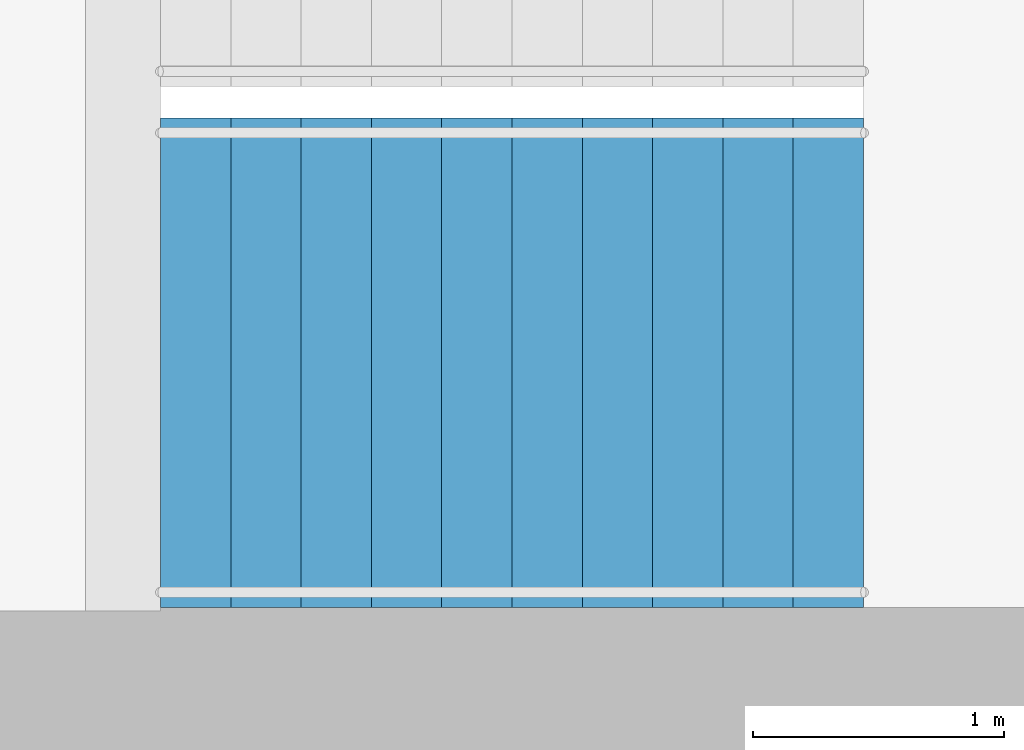
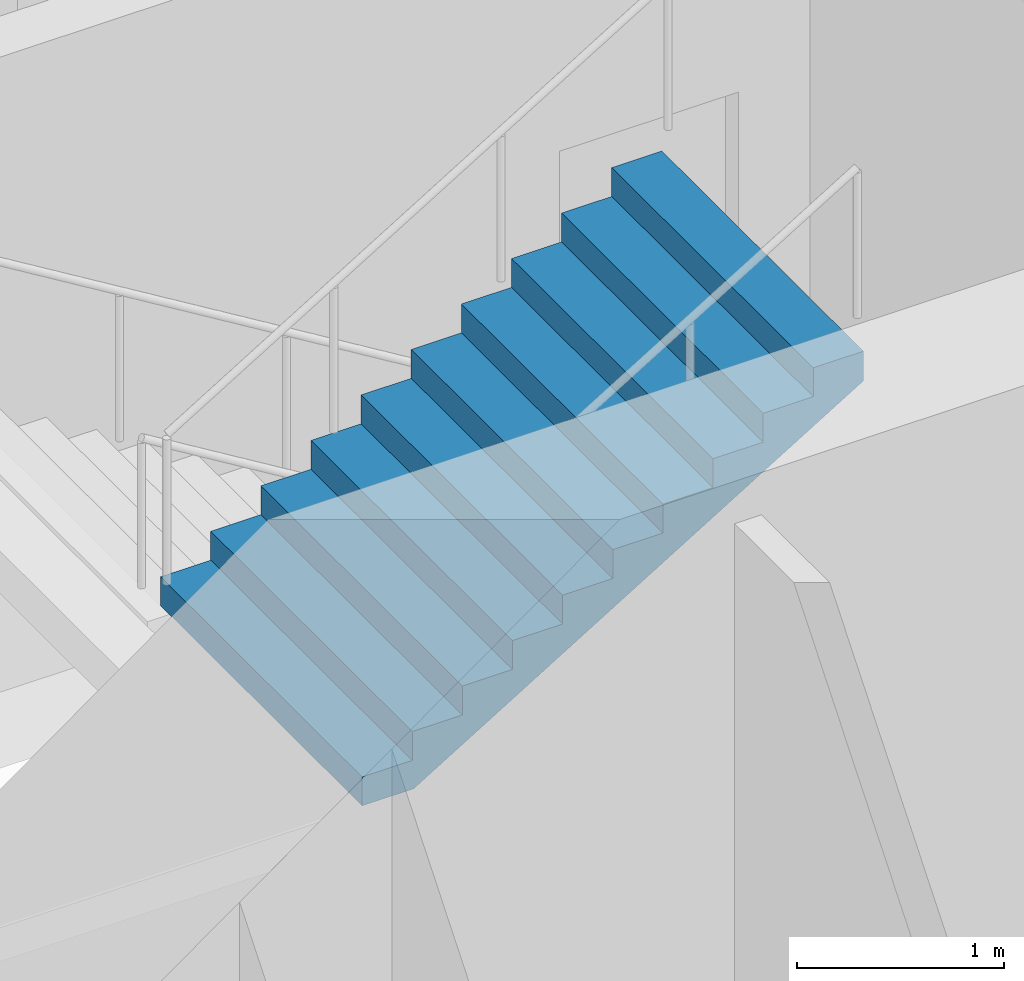
# One storey, part 26 of 29: 1 stair flight, 1 element without a shape of its own.
"""IFC4 building model written with IfcOpenShell, lengths in metres."""

import ifcopenshell
import ifcopenshell.guid

model = None  # the IFC model being written
_history = None  # IfcOwnerHistory: only IFC2X3 demands one
_inside = {}  # id of a spatial element -> (the spatial element, [elements in it])
_under = {}  # id of a project, library or spatial element -> (it, [spatial elements below it])
_declared = {}  # id of a project -> (the project, [libraries it declares])
_typed = {}  # id of a type object -> (the type object, [elements of that type])
_made_of = {}  # id of a material, layer set ... -> (it, [elements and type objects made of it])


def new_model(schema):
    """Start an empty IFC model of exactly this schema.

    Asked for "IFC4X3", IfcOpenShell would pick the latest addendum, in which some entities
    have other attributes; the version numbers below select the first issue.
    IFC2X3 requires an IfcOwnerHistory on every rooted entity: one is made here for all.
    """
    global model, _history
    if schema == "IFC4X3":
        model = ifcopenshell.file(schema_version=(4, 3, 0, 0))
    else:
        model = ifcopenshell.file(schema=schema)
    _inside.clear()
    _under.clear()
    _declared.clear()
    _typed.clear()
    _made_of.clear()
    _history = None
    if model.schema == "IFC2X3":
        org = make("IfcOrganization", Name="unknown")
        user = make(
            "IfcPersonAndOrganization",
            ThePerson=make("IfcPerson", FamilyName="unknown"),
            TheOrganization=org,
        )
        app = make(
            "IfcApplication",
            ApplicationDeveloper=org,
            Version="unknown",
            ApplicationFullName="unknown",
            ApplicationIdentifier="unknown",
        )
        _history = make(
            "IfcOwnerHistory",
            OwningUser=user,
            OwningApplication=app,
            ChangeAction="ADDED",
            CreationDate=0,
        )
    return model


def make(cls, **values):
    """One entity of the class cls with the attributes given. An attribute that is None is left unset."""
    return model.create_entity(
        cls, **{name: value for name, value in values.items() if value is not None}
    )


def rooted(cls, **values):
    """An entity with a GlobalId (a new one), such as an element, a storey or a relation."""
    return make(cls, GlobalId=ifcopenshell.guid.new(), OwnerHistory=_history, **values)


def si_unit(unit_type, name, prefix=None):
    """IfcSIUnit, for example si_unit("LENGTHUNIT", "METRE", prefix="MILLI")."""
    return make("IfcSIUnit", UnitType=unit_type, Prefix=prefix, Name=name)


def assignment(units):
    """IfcUnitAssignment: the units of a project."""
    return None if units is None else make("IfcUnitAssignment", Units=units)


def point(xyz):
    """IfcCartesianPoint."""
    return None if xyz is None else make("IfcCartesianPoint", Coordinates=xyz)


def direction(xyz):
    """IfcDirection."""
    return None if xyz is None else make("IfcDirection", DirectionRatios=xyz)


def frame(location, z_axis=None, x_axis=None):
    """IfcAxis2Placement3D, a coordinate frame: its origin and axes. An axis left out is left unset."""
    return make(
        "IfcAxis2Placement3D",
        Location=point(location),
        Axis=direction(z_axis),
        RefDirection=direction(x_axis),
    )


def origin():
    """The frame at (0, 0, 0) with its axes left unset."""
    return frame((0.0, 0.0, 0.0))


def place(relative_to, where):
    """IfcLocalPlacement: puts the frame where relative to a parent placement (None: the world)."""
    return make(
        "IfcLocalPlacement", PlacementRelTo=relative_to, RelativePlacement=where
    )


def context(
    kind, dimensions, precision=None, world=None, true_north=None, identifier=None
):
    """IfcGeometricRepresentationContext, for example the 3D "Model" context."""
    return make(
        "IfcGeometricRepresentationContext",
        ContextIdentifier=identifier,
        ContextType=kind,
        CoordinateSpaceDimension=dimensions,
        Precision=precision,
        WorldCoordinateSystem=world,
        TrueNorth=true_north,
    )


def subcontext(parent, identifier, kind, view, scale=None):
    """IfcGeometricRepresentationSubContext, for example "Body" below "Model"."""
    return make(
        "IfcGeometricRepresentationSubContext",
        ContextIdentifier=identifier,
        ContextType=kind,
        ParentContext=parent,
        TargetScale=scale,
        TargetView=view,
    )


def project(units=None, contexts=None):
    """IfcProject with its units and contexts."""
    return rooted(
        "IfcProject",
        Name="project",
        RepresentationContexts=contexts,
        UnitsInContext=assignment(units),
    )


def spatial(cls, under=None, at=None, **own):
    """A site, building, storey or space (cls), placed at a placement, below another one or the project."""
    s = rooted(cls, ObjectPlacement=at, **own)
    if under is not None:
        _under.setdefault(under.id(), (under, []))[1].append(s)
    return s


def point_list(points):
    """IfcCartesianPointList2D or 3D."""
    cls = (
        "IfcCartesianPointList2D" if len(points[0]) == 2 else "IfcCartesianPointList3D"
    )
    return make(cls, CoordList=points)


def triangles(points, corners, closed=None, point_numbers=None):
    """IfcTriangulatedFaceSet: each triangle names its three corners, points numbered from 1."""
    return make(
        "IfcTriangulatedFaceSet",
        Coordinates=point_list(points),
        Closed=closed,
        CoordIndex=corners,
        PnIndex=point_numbers,
    )


def shape(context_of_items, identifier, shape_type, items):
    """IfcShapeRepresentation: the items that make up one representation, for example the "Body"."""
    return make(
        "IfcShapeRepresentation",
        ContextOfItems=context_of_items,
        RepresentationIdentifier=identifier,
        RepresentationType=shape_type,
        Items=items,
    )


def material(Name=None, Category=None):
    """IfcMaterial."""
    return make("IfcMaterial", Name=Name, Category=Category)


def made_of(thing, what):
    """Note that an element or type object is made of a material, layer set ...; save() writes the relation."""
    if what is not None:
        _made_of.setdefault(what.id(), (what, []))[1].append(thing)
    return thing


def type_object(cls, material=None, **own):
    """A type object (cls), such as IfcWallType, which elements share."""
    return made_of(rooted(cls, **own), material)


def element(
    cls,
    number,
    at=None,
    inside=None,
    cuts=None,
    type_object=None,
    material=None,
    context=None,
    identifier="Body",
    shape_type=None,
    held_by="IfcProductDefinitionShape",
    body=None,
    shapes=None,
    **own,
):
    """One element of the class cls, such as IfcWall. Its Tag is "e" and its number.

    at: its placement. inside: the storey or other place that contains it. cuts: it is an
    opening in that element (IfcRelVoidsElement). A single representation is given by context,
    identifier, shape_type and body (its items); several are given by shapes. held_by: the class
    of the entity that holds the representations. save() writes the other relations.
    """
    e = rooted(cls, Tag="e%d" % number, ObjectPlacement=at, **own)
    if body is not None:
        shapes = [shape(context, identifier, shape_type, body)]
    if shapes is not None:
        e.Representation = make(held_by, Representations=shapes)
    if inside is not None:
        _inside.setdefault(inside.id(), (inside, []))[1].append(e)
    if cuts is not None:
        rooted(
            "IfcRelVoidsElement", RelatingBuildingElement=cuts, RelatedOpeningElement=e
        )
    if type_object is not None:
        _typed.setdefault(type_object.id(), (type_object, []))[1].append(e)
    return made_of(e, material)


def aggregate(whole, parts):
    """IfcRelAggregates: a whole, such as a stair, and the parts it consists of."""
    return rooted("IfcRelAggregates", RelatingObject=whole, RelatedObjects=parts)


def save(model, path):
    """Write the relations noted so far, then the file.

    IfcRelAggregates (storeys below a building ...), IfcRelContainedInSpatialStructure (elements
    in a storey), IfcRelDefinesByType, IfcRelAssociatesMaterial and IfcRelDeclares: one each for
    every whole, place, type object, material and project.
    """
    for whole, parts in _under.values():
        aggregate(whole, parts)
    for where, things in _inside.values():
        rooted(
            "IfcRelContainedInSpatialStructure",
            RelatedElements=things,
            RelatingStructure=where,
        )
    for kind, things in _typed.values():
        rooted("IfcRelDefinesByType", RelatedObjects=things, RelatingType=kind)
    for what, things in _made_of.values():
        rooted("IfcRelAssociatesMaterial", RelatedObjects=things, RelatingMaterial=what)
    for by, libraries in _declared.values():
        rooted("IfcRelDeclares", RelatingContext=by, RelatedDefinitions=libraries)
    model.write(path)


model = new_model("IFC4")

# Units and contexts
model_context = context("Model", 3, precision=1e-05, world=origin(), true_north=direction((0.0, 1.0)))
body_context = subcontext(model_context, "Body", "Model", "MODEL_VIEW")
ifc_project = project(units=[si_unit("LENGTHUNIT", "METRE"), si_unit("AREAUNIT", "SQUARE_METRE"), si_unit("VOLUMEUNIT", "CUBIC_METRE"), si_unit("PLANEANGLEUNIT", "RADIAN"), si_unit("MASSUNIT", "GRAM", prefix="KILO")], contexts=[model_context])

# Site, building, storey
site_placement = place(None, origin())
site = spatial("IfcSite", under=ifc_project, at=site_placement, CompositionType="ELEMENT")
building_placement = place(site_placement, origin())
building = spatial("IfcBuilding", under=site, at=building_placement, Name="Orbita Commons", CompositionType="ELEMENT")
storey_placement = place(building_placement, frame((0.0, 0.0, 148.60009765625)))
storey = spatial("IfcBuildingStorey", under=building, at=storey_placement, Name="L36", CompositionType="ELEMENT", Elevation=148.60009765625)

# Stair, stair flight
ifc_material_1 = material(Name="Precast concrete C40/50", Category="concrete")
stair_type = type_object("IfcStairType", Name="Exit stair S2 2 flights 11 risers 170", PredefinedType="HALF_TURN_STAIR", material=ifc_material_1)
stair_placement = place(storey_placement, origin())
stair = element("IfcStair", 1, at=stair_placement, inside=storey, type_object=stair_type, Name="Exit stair S2 L36", PredefinedType="HALF_TURN_STAIR")
ifc_material_2 = material(Name="Precast concrete C40/50", Category="concrete")
stair_flight_type = type_object("IfcStairFlightType", Name="Stair flight 11 risers 170 x 280", PredefinedType="STRAIGHT", material=ifc_material_2)
stair_flight_placement = place(storey_placement, frame((60.75, 27.199951171875, 1.875), z_axis=(0.0, 0.0, 1.0), x_axis=(1.0, 0.0, 0.0)))
stair_flight = element("IfcStairFlight", 2, at=stair_flight_placement, type_object=stair_flight_type, Name="S2 flight 2", NumberOfRisers=11, NumberOfTreads=10, PredefinedType="STRAIGHT", RiserHeight=0.170454545, TreadLength=0.28, context=body_context, shape_type="Tessellation", body=[
    triangles([(0.0, 0.974976, 0.0), (0.0, 0.974976, 0.021307), (0.0, 0.81248, 0.021307), (0.0, 0.81248, 0.0), (0.0, 0.649984, 0.021307), (0.0, 0.649984, 0.0), (0.0, 0.487488, 0.021307), (0.0, 0.487488, 0.0), (0.0, 0.324992, 0.021307), (0.0, 0.324992, 0.0), (0.0, 0.162496, 0.021307), (0.0, 0.162496, 0.0), (0.0, 0.0, 0.021307), (0.0, 0.0, 0.0), (0.0, -0.162496, 0.021307), (0.0, -0.162496, 0.0), (0.0, -0.324992, 0.021307), (0.0, -0.324992, 0.0), (0.0, -0.487488, 0.021307), (0.0, -0.487488, 0.0), (0.0, -0.649984, 0.021307), (0.0, -0.649984, 0.0), (0.0, -0.81248, 0.021307), (0.0, -0.81248, 0.0), (0.0, -0.974976, 0.021307), (0.0, -0.974976, 0.0), (0.0, 0.974976, 0.042614), (0.0, 0.81248, 0.042614), (0.0, 0.649984, 0.042614), (0.0, 0.487488, 0.042614), (0.0, 0.324992, 0.042614), (0.0, 0.162496, 0.042614), (0.0, 0.0, 0.042614), (0.0, -0.162496, 0.042614), (0.0, -0.324992, 0.042614), (0.0, -0.487488, 0.042614), (0.0, -0.649984, 0.042614), (0.0, -0.81248, 0.042614), (0.0, -0.974976, 0.042614), (0.0, 0.974976, 0.06392), (0.0, 0.81248, 0.06392), (0.0, 0.649984, 0.06392), (0.0, 0.487488, 0.06392), (0.0, 0.324992, 0.06392), (0.0, 0.162496, 0.06392), (0.0, 0.0, 0.06392), (0.0, -0.162496, 0.06392), (0.0, -0.324992, 0.06392), (0.0, -0.487488, 0.06392), (0.0, -0.649984, 0.06392), (0.0, -0.81248, 0.06392), (0.0, -0.974976, 0.06392), (0.0, 0.974976, 0.085227), (0.0, 0.81248, 0.085227), (0.0, 0.649984, 0.085227), (0.0, 0.487488, 0.085227), (0.0, 0.324992, 0.085227), (0.0, 0.162496, 0.085227), (0.0, 0.0, 0.085227), (0.0, -0.162496, 0.085227), (0.0, -0.324992, 0.085227), (0.0, -0.487488, 0.085227), (0.0, -0.649984, 0.085227), (0.0, -0.81248, 0.085227), (0.0, -0.974976, 0.085227), (0.0, 0.974976, 0.106534), (0.0, 0.81248, 0.106534), (0.0, 0.649984, 0.106534), (0.0, 0.487488, 0.106534), (0.0, 0.324992, 0.106534), (0.0, 0.162496, 0.106534), (0.0, 0.0, 0.106534), (0.0, -0.162496, 0.106534), (0.0, -0.324992, 0.106534), (0.0, -0.487488, 0.106534), (0.0, -0.649984, 0.106534), (0.0, -0.81248, 0.106534), (0.0, -0.974976, 0.106534), (0.0, 0.974976, 0.127841), (0.0, 0.81248, 0.127841), (0.0, 0.649984, 0.127841), (0.0, 0.487488, 0.127841), (0.0, 0.324992, 0.127841), (0.0, 0.162496, 0.127841), (0.0, 0.0, 0.127841), (0.0, -0.162496, 0.127841), (0.0, -0.324992, 0.127841), (0.0, -0.487488, 0.127841), (0.0, -0.649984, 0.127841), (0.0, -0.81248, 0.127841), (0.0, -0.974976, 0.127841), (0.0, 0.974976, 0.149148), (0.0, 0.81248, 0.149148), (0.0, 0.649984, 0.149148), (0.0, 0.487488, 0.149148), (0.0, 0.324992, 0.149148), (0.0, 0.162496, 0.149148), (0.0, 0.0, 0.149148), (0.0, -0.162496, 0.149148), (0.0, -0.324992, 0.149148), (0.0, -0.487488, 0.149148), (0.0, -0.649984, 0.149148), (0.0, -0.81248, 0.149148), (0.0, -0.974976, 0.149148), (0.0, 0.974976, 0.170455), (0.0, 0.81248, 0.170455), (0.0, 0.649984, 0.170455), (0.0, 0.487488, 0.170455), (0.0, 0.324992, 0.170455), (0.0, 0.162496, 0.170455), (0.0, 0.0, 0.170455), (0.0, -0.162496, 0.170455), (0.0, -0.324992, 0.170455), (0.0, -0.487488, 0.170455), (0.0, -0.649984, 0.170455), (0.0, -0.81248, 0.170455), (0.0, -0.974976, 0.170455), (0.28, 0.974976, 0.170455), (0.28, 0.81248, 0.170455), (0.28, 0.649984, 0.170455), (0.28, 0.487488, 0.170455), (0.28, 0.324992, 0.170455), (0.28, 0.162496, 0.170455), (0.28, 0.0, 0.170455), (0.28, -0.162496, 0.170455), (0.28, -0.324992, 0.170455), (0.28, -0.487488, 0.170455), (0.28, -0.649984, 0.170455), (0.28, -0.81248, 0.170455), (0.28, -0.974976, 0.170455), (0.28, 0.974976, 0.340909), (0.28, 0.81248, 0.340909), (0.28, 0.649984, 0.340909), (0.28, 0.487488, 0.340909), (0.28, 0.324992, 0.340909), (0.28, 0.162496, 0.340909), (0.28, 0.0, 0.340909), (0.28, -0.162496, 0.340909), (0.28, -0.324992, 0.340909), (0.28, -0.487488, 0.340909), (0.28, -0.649984, 0.340909), (0.28, -0.81248, 0.340909), (0.28, -0.974976, 0.340909), (0.56, 0.974976, 0.340909), (0.56, 0.81248, 0.340909), (0.56, 0.649984, 0.340909), (0.56, 0.487488, 0.340909), (0.56, 0.324992, 0.340909), (0.56, 0.162496, 0.340909), (0.56, 0.0, 0.340909), (0.56, -0.162496, 0.340909), (0.56, -0.324992, 0.340909), (0.56, -0.487488, 0.340909), (0.56, -0.649984, 0.340909), (0.56, -0.81248, 0.340909), (0.56, -0.974976, 0.340909), (0.56, 0.974976, 0.511364), (0.56, 0.81248, 0.511364), (0.56, 0.649984, 0.511364), (0.56, 0.487488, 0.511364), (0.56, 0.324992, 0.511364), (0.56, 0.162496, 0.511364), (0.56, 0.0, 0.511364), (0.56, -0.162496, 0.511364), (0.56, -0.324992, 0.511364), (0.56, -0.487488, 0.511364), (0.56, -0.649984, 0.511364), (0.56, -0.81248, 0.511364), (0.56, -0.974976, 0.511364), (0.84, 0.974976, 0.511364), (0.84, 0.81248, 0.511364), (0.84, 0.649984, 0.511364), (0.84, 0.487488, 0.511364), (0.84, 0.324992, 0.511364), (0.84, 0.162496, 0.511364), (0.84, 0.0, 0.511364), (0.84, -0.162496, 0.511364), (0.84, -0.324992, 0.511364), (0.84, -0.487488, 0.511364), (0.84, -0.649984, 0.511364), (0.84, -0.81248, 0.511364), (0.84, -0.974976, 0.511364), (0.84, 0.974976, 0.681818), (0.84, 0.81248, 0.681818), (0.84, 0.649984, 0.681818), (0.84, 0.487488, 0.681818), (0.84, 0.324992, 0.681818), (0.84, 0.162496, 0.681818), (0.84, 0.0, 0.681818), (0.84, -0.162496, 0.681818), (0.84, -0.324992, 0.681818), (0.84, -0.487488, 0.681818), (0.84, -0.649984, 0.681818), (0.84, -0.81248, 0.681818), (0.84, -0.974976, 0.681818), (1.12, 0.974976, 0.681818), (1.12, 0.81248, 0.681818), (1.12, 0.649984, 0.681818), (1.12, 0.487488, 0.681818), (1.12, 0.324992, 0.681818), (1.12, 0.162496, 0.681818), (1.12, 0.0, 0.681818), (1.12, -0.162496, 0.681818), (1.12, -0.324992, 0.681818), (1.12, -0.487488, 0.681818), (1.12, -0.649984, 0.681818), (1.12, -0.81248, 0.681818), (1.12, -0.974976, 0.681818), (1.12, 0.974976, 0.852273), (1.12, 0.81248, 0.852273), (1.12, 0.649984, 0.852273), (1.12, 0.487488, 0.852273), (1.12, 0.324992, 0.852273), (1.12, 0.162496, 0.852273), (1.12, 0.0, 0.852273), (1.12, -0.162496, 0.852273), (1.12, -0.324992, 0.852273), (1.12, -0.487488, 0.852273), (1.12, -0.649984, 0.852273), (1.12, -0.81248, 0.852273), (1.12, -0.974976, 0.852273), (1.4, 0.974976, 0.852273), (1.4, 0.81248, 0.852273), (1.4, 0.649984, 0.852273), (1.4, 0.487488, 0.852273), (1.4, 0.324992, 0.852273), (1.4, 0.162496, 0.852273), (1.4, 0.0, 0.852273), (1.4, -0.162496, 0.852273), (1.4, -0.324992, 0.852273), (1.4, -0.487488, 0.852273), (1.4, -0.649984, 0.852273), (1.4, -0.81248, 0.852273), (1.4, -0.974976, 0.852273), (1.4, 0.974976, 1.022727), (1.4, 0.81248, 1.022727), (1.4, 0.649984, 1.022727), (1.4, 0.487488, 1.022727), (1.4, 0.324992, 1.022727), (1.4, 0.162496, 1.022727), (1.4, 0.0, 1.022727), (1.4, -0.162496, 1.022727), (1.4, -0.324992, 1.022727), (1.4, -0.487488, 1.022727), (1.4, -0.649984, 1.022727), (1.4, -0.81248, 1.022727), (1.4, -0.974976, 1.022727), (1.68, 0.974976, 1.022727), (1.68, 0.81248, 1.022727), (1.68, 0.649984, 1.022727), (1.68, 0.487488, 1.022727), (1.68, 0.324992, 1.022727), (1.68, 0.162496, 1.022727), (1.68, 0.0, 1.022727), (1.68, -0.162496, 1.022727), (1.68, -0.324992, 1.022727), (1.68, -0.487488, 1.022727), (1.68, -0.649984, 1.022727), (1.68, -0.81248, 1.022727), (1.68, -0.974976, 1.022727), (1.68, 0.974976, 1.193182), (1.68, 0.81248, 1.193182), (1.68, 0.649984, 1.193182), (1.68, 0.487488, 1.193182), (1.68, 0.324992, 1.193182), (1.68, 0.162496, 1.193182), (1.68, 0.0, 1.193182), (1.68, -0.162496, 1.193182), (1.68, -0.324992, 1.193182), (1.68, -0.487488, 1.193182), (1.68, -0.649984, 1.193182), (1.68, -0.81248, 1.193182), (1.68, -0.974976, 1.193182), (1.96, 0.974976, 1.193182), (1.96, 0.81248, 1.193182), (1.96, 0.649984, 1.193182), (1.96, 0.487488, 1.193182), (1.96, 0.324992, 1.193182), (1.96, 0.162496, 1.193182), (1.96, 0.0, 1.193182), (1.96, -0.162496, 1.193182), (1.96, -0.324992, 1.193182), (1.96, -0.487488, 1.193182), (1.96, -0.649984, 1.193182), (1.96, -0.81248, 1.193182), (1.96, -0.974976, 1.193182), (1.96, 0.974976, 1.363636), (1.96, 0.81248, 1.363636), (1.96, 0.649984, 1.363636), (1.96, 0.487488, 1.363636), (1.96, 0.324992, 1.363636), (1.96, 0.162496, 1.363636), (1.96, 0.0, 1.363636), (1.96, -0.162496, 1.363636), (1.96, -0.324992, 1.363636), (1.96, -0.487488, 1.363636), (1.96, -0.649984, 1.363636), (1.96, -0.81248, 1.363636), (1.96, -0.974976, 1.363636), (2.24, 0.974976, 1.363636), (2.24, 0.81248, 1.363636), (2.24, 0.649984, 1.363636), (2.24, 0.487488, 1.363636), (2.24, 0.324992, 1.363636), (2.24, 0.162496, 1.363636), (2.24, 0.0, 1.363636), (2.24, -0.162496, 1.363636), (2.24, -0.324992, 1.363636), (2.24, -0.487488, 1.363636), (2.24, -0.649984, 1.363636), (2.24, -0.81248, 1.363636), (2.24, -0.974976, 1.363636), (2.24, 0.974976, 1.534091), (2.24, 0.81248, 1.534091), (2.24, 0.649984, 1.534091), (2.24, 0.487488, 1.534091), (2.24, 0.324992, 1.534091), (2.24, 0.162496, 1.534091), (2.24, 0.0, 1.534091), (2.24, -0.162496, 1.534091), (2.24, -0.324992, 1.534091), (2.24, -0.487488, 1.534091), (2.24, -0.649984, 1.534091), (2.24, -0.81248, 1.534091), (2.24, -0.974976, 1.534091), (2.52, 0.974976, 1.534091), (2.52, 0.81248, 1.534091), (2.52, 0.649984, 1.534091), (2.52, 0.487488, 1.534091), (2.52, 0.324992, 1.534091), (2.52, 0.162496, 1.534091), (2.52, 0.0, 1.534091), (2.52, -0.162496, 1.534091), (2.52, -0.324992, 1.534091), (2.52, -0.487488, 1.534091), (2.52, -0.649984, 1.534091), (2.52, -0.81248, 1.534091), (2.52, -0.974976, 1.534091), (2.52, 0.974976, 1.704545), (2.52, 0.81248, 1.704545), (2.52, 0.649984, 1.704545), (2.52, 0.487488, 1.704545), (2.52, 0.324992, 1.704545), (2.52, 0.162496, 1.704545), (2.52, 0.0, 1.704545), (2.52, -0.162496, 1.704545), (2.52, -0.324992, 1.704545), (2.52, -0.487488, 1.704545), (2.52, -0.649984, 1.704545), (2.52, -0.81248, 1.704545), (2.52, -0.974976, 1.704545), (2.8, 0.974976, 1.704545), (2.8, 0.81248, 1.704545), (2.8, 0.649984, 1.704545), (2.8, 0.487488, 1.704545), (2.8, 0.324992, 1.704545), (2.8, 0.162496, 1.704545), (2.8, 0.0, 1.704545), (2.8, -0.162496, 1.704545), (2.8, -0.324992, 1.704545), (2.8, -0.487488, 1.704545), (2.8, -0.649984, 1.704545), (2.8, -0.81248, 1.704545), (2.8, -0.974976, 1.704545), (2.8, 0.974976, 1.682609), (2.8, 0.81248, 1.682609), (2.8, 0.649984, 1.682609), (2.8, 0.487488, 1.682609), (2.8, 0.324992, 1.682609), (2.8, 0.162496, 1.682609), (2.8, 0.0, 1.682609), (2.8, -0.162496, 1.682609), (2.8, -0.324992, 1.682609), (2.8, -0.487488, 1.682609), (2.8, -0.649984, 1.682609), (2.8, -0.81248, 1.682609), (2.8, -0.974976, 1.682609), (2.8, 0.974976, 1.660672), (2.8, 0.81248, 1.660672), (2.8, 0.649984, 1.660672), (2.8, 0.487488, 1.660672), (2.8, 0.324992, 1.660672), (2.8, 0.162496, 1.660672), (2.8, 0.0, 1.660672), (2.8, -0.162496, 1.660672), (2.8, -0.324992, 1.660672), (2.8, -0.487488, 1.660672), (2.8, -0.649984, 1.660672), (2.8, -0.81248, 1.660672), (2.8, -0.974976, 1.660672), (2.8, 0.974976, 1.638735), (2.8, 0.81248, 1.638735), (2.8, 0.649984, 1.638735), (2.8, 0.487488, 1.638735), (2.8, 0.324992, 1.638735), (2.8, 0.162496, 1.638735), (2.8, 0.0, 1.638735), (2.8, -0.162496, 1.638735), (2.8, -0.324992, 1.638735), (2.8, -0.487488, 1.638735), (2.8, -0.649984, 1.638735), (2.8, -0.81248, 1.638735), (2.8, -0.974976, 1.638735), (2.8, 0.974976, 1.616798), (2.8, 0.81248, 1.616798), (2.8, 0.649984, 1.616798), (2.8, 0.487488, 1.616798), (2.8, 0.324992, 1.616798), (2.8, 0.162496, 1.616798), (2.8, 0.0, 1.616798), (2.8, -0.162496, 1.616798), (2.8, -0.324992, 1.616798), (2.8, -0.487488, 1.616798), (2.8, -0.649984, 1.616798), (2.8, -0.81248, 1.616798), (2.8, -0.974976, 1.616798), (2.8, 0.974976, 1.594861), (2.8, 0.81248, 1.594861), (2.8, 0.649984, 1.594861), (2.8, 0.487488, 1.594861), (2.8, 0.324992, 1.594861), (2.8, 0.162496, 1.594861), (2.8, 0.0, 1.594861), (2.8, -0.162496, 1.594861), (2.8, -0.324992, 1.594861), (2.8, -0.487488, 1.594861), (2.8, -0.649984, 1.594861), (2.8, -0.81248, 1.594861), (2.8, -0.974976, 1.594861), (2.8, 0.974976, 1.572925), (2.8, 0.81248, 1.572925), (2.8, 0.649984, 1.572925), (2.8, 0.487488, 1.572925), (2.8, 0.324992, 1.572925), (2.8, 0.162496, 1.572925), (2.8, 0.0, 1.572925), (2.8, -0.162496, 1.572925), (2.8, -0.324992, 1.572925), (2.8, -0.487488, 1.572925), (2.8, -0.649984, 1.572925), (2.8, -0.81248, 1.572925), (2.8, -0.974976, 1.572925), (2.8, 0.974976, 1.550988), (2.8, 0.81248, 1.550988), (2.8, 0.649984, 1.550988), (2.8, 0.487488, 1.550988), (2.8, 0.324992, 1.550988), (2.8, 0.162496, 1.550988), (2.8, 0.0, 1.550988), (2.8, -0.162496, 1.550988), (2.8, -0.324992, 1.550988), (2.8, -0.487488, 1.550988), (2.8, -0.649984, 1.550988), (2.8, -0.81248, 1.550988), (2.8, -0.974976, 1.550988), (2.8, 0.974976, 1.529051), (2.8, 0.81248, 1.529051), (2.8, 0.649984, 1.529051), (2.8, 0.487488, 1.529051), (2.8, 0.324992, 1.529051), (2.8, 0.162496, 1.529051), (2.8, 0.0, 1.529051), (2.8, -0.162496, 1.529051), (2.8, -0.324992, 1.529051), (2.8, -0.487488, 1.529051), (2.8, -0.649984, 1.529051), (2.8, -0.81248, 1.529051), (2.8, -0.974976, 1.529051), (0.288279, 0.974976, 0.0), (0.288279, 0.81248, 0.0), (0.288279, 0.649984, 0.0), (0.288279, 0.487488, 0.0), (0.288279, 0.324992, 0.0), (0.288279, 0.162496, 0.0), (0.288279, 0.0, 0.0), (0.288279, -0.162496, 0.0), (0.288279, -0.324992, 0.0), (0.288279, -0.487488, 0.0), (0.288279, -0.649984, 0.0), (0.288279, -0.81248, 0.0), (0.288279, -0.974976, 0.0)], [[3, 2, 1], [4, 3, 1], [5, 3, 4], [6, 5, 4], [7, 5, 6], [8, 7, 6], [9, 7, 8], [10, 9, 8], [11, 9, 10], [12, 11, 10], [13, 11, 12], [14, 13, 12], [15, 13, 14], [16, 15, 14], [17, 15, 16], [18, 17, 16], [19, 17, 18], [20, 19, 18], [21, 19, 20], [22, 21, 20], [23, 21, 22], [24, 23, 22], [25, 23, 24], [26, 25, 24], [28, 27, 2], [3, 28, 2], [29, 28, 3], [5, 29, 3], [30, 29, 5], [7, 30, 5], [31, 30, 7], [9, 31, 7], [32, 31, 9], [11, 32, 9], [33, 32, 11], [13, 33, 11], [34, 33, 13], [15, 34, 13], [35, 34, 15], [17, 35, 15], [36, 35, 17], [19, 36, 17], [37, 36, 19], [21, 37, 19], [38, 37, 21], [23, 38, 21], [39, 38, 23], [25, 39, 23], [41, 40, 27], [28, 41, 27], [42, 41, 28], [29, 42, 28], [43, 42, 29], [30, 43, 29], [44, 43, 30], [31, 44, 30], [45, 44, 31], [32, 45, 31], [46, 45, 32], [33, 46, 32], [47, 46, 33], [34, 47, 33], [48, 47, 34], [35, 48, 34], [49, 48, 35], [36, 49, 35], [50, 49, 36], [37, 50, 36], [51, 50, 37], [38, 51, 37], [52, 51, 38], [39, 52, 38], [54, 53, 40], [41, 54, 40], [55, 54, 41], [42, 55, 41], [56, 55, 42], [43, 56, 42], [57, 56, 43], [44, 57, 43], [58, 57, 44], [45, 58, 44], [59, 58, 45], [46, 59, 45], [60, 59, 46], [47, 60, 46], [61, 60, 47], [48, 61, 47], [62, 61, 48], [49, 62, 48], [63, 62, 49], [50, 63, 49], [64, 63, 50], [51, 64, 50], [65, 64, 51], [52, 65, 51], [67, 66, 53], [54, 67, 53], [68, 67, 54], [55, 68, 54], [69, 68, 55], [56, 69, 55], [70, 69, 56], [57, 70, 56], [71, 70, 57], [58, 71, 57], [72, 71, 58], [59, 72, 58], [73, 72, 59], [60, 73, 59], [74, 73, 60], [61, 74, 60], [75, 74, 61], [62, 75, 61], [76, 75, 62], [63, 76, 62], [77, 76, 63], [64, 77, 63], [78, 77, 64], [65, 78, 64], [80, 79, 66], [67, 80, 66], [81, 80, 67], [68, 81, 67], [82, 81, 68], [69, 82, 68], [83, 82, 69], [70, 83, 69], [84, 83, 70], [71, 84, 70], [85, 84, 71], [72, 85, 71], [86, 85, 72], [73, 86, 72], [87, 86, 73], [74, 87, 73], [88, 87, 74], [75, 88, 74], [89, 88, 75], [76, 89, 75], [90, 89, 76], [77, 90, 76], [91, 90, 77], [78, 91, 77], [93, 92, 79], [80, 93, 79], [94, 93, 80], [81, 94, 80], [95, 94, 81], [82, 95, 81], [96, 95, 82], [83, 96, 82], [97, 96, 83], [84, 97, 83], [98, 97, 84], [85, 98, 84], [99, 98, 85], [86, 99, 85], [100, 99, 86], [87, 100, 86], [101, 100, 87], [88, 101, 87], [102, 101, 88], [89, 102, 88], [103, 102, 89], [90, 103, 89], [104, 103, 90], [91, 104, 90], [106, 105, 92], [93, 106, 92], [107, 106, 93], [94, 107, 93], [108, 107, 94], [95, 108, 94], [109, 108, 95], [96, 109, 95], [110, 109, 96], [97, 110, 96], [111, 110, 97], [98, 111, 97], [112, 111, 98], [99, 112, 98], [113, 112, 99], [100, 113, 99], [114, 113, 100], [101, 114, 100], [115, 114, 101], [102, 115, 101], [116, 115, 102], [103, 116, 102], [117, 116, 103], [104, 117, 103], [119, 118, 105], [106, 119, 105], [120, 119, 106], [107, 120, 106], [121, 120, 107], [108, 121, 107], [122, 121, 108], [109, 122, 108], [123, 122, 109], [110, 123, 109], [124, 123, 110], [111, 124, 110], [125, 124, 111], [112, 125, 111], [126, 125, 112], [113, 126, 112], [127, 126, 113], [114, 127, 113], [128, 127, 114], [115, 128, 114], [129, 128, 115], [116, 129, 115], [130, 129, 116], [117, 130, 116], [132, 131, 118], [119, 132, 118], [133, 132, 119], [120, 133, 119], [134, 133, 120], [121, 134, 120], [135, 134, 121], [122, 135, 121], [136, 135, 122], [123, 136, 122], [137, 136, 123], [124, 137, 123], [138, 137, 124], [125, 138, 124], [139, 138, 125], [126, 139, 125], [140, 139, 126], [127, 140, 126], [141, 140, 127], [128, 141, 127], [142, 141, 128], [129, 142, 128], [143, 142, 129], [130, 143, 129], [145, 144, 131], [132, 145, 131], [146, 145, 132], [133, 146, 132], [147, 146, 133], [134, 147, 133], [148, 147, 134], [135, 148, 134], [149, 148, 135], [136, 149, 135], [150, 149, 136], [137, 150, 136], [151, 150, 137], [138, 151, 137], [152, 151, 138], [139, 152, 138], [153, 152, 139], [140, 153, 139], [154, 153, 140], [141, 154, 140], [155, 154, 141], [142, 155, 141], [156, 155, 142], [143, 156, 142], [158, 157, 144], [145, 158, 144], [159, 158, 145], [146, 159, 145], [160, 159, 146], [147, 160, 146], [161, 160, 147], [148, 161, 147], [162, 161, 148], [149, 162, 148], [163, 162, 149], [150, 163, 149], [164, 163, 150], [151, 164, 150], [165, 164, 151], [152, 165, 151], [166, 165, 152], [153, 166, 152], [167, 166, 153], [154, 167, 153], [168, 167, 154], [155, 168, 154], [169, 168, 155], [156, 169, 155], [171, 170, 157], [158, 171, 157], [172, 171, 158], [159, 172, 158], [173, 172, 159], [160, 173, 159], [174, 173, 160], [161, 174, 160], [175, 174, 161], [162, 175, 161], [176, 175, 162], [163, 176, 162], [177, 176, 163], [164, 177, 163], [178, 177, 164], [165, 178, 164], [179, 178, 165], [166, 179, 165], [180, 179, 166], [167, 180, 166], [181, 180, 167], [168, 181, 167], [182, 181, 168], [169, 182, 168], [184, 183, 170], [171, 184, 170], [185, 184, 171], [172, 185, 171], [186, 185, 172], [173, 186, 172], [187, 186, 173], [174, 187, 173], [188, 187, 174], [175, 188, 174], [189, 188, 175], [176, 189, 175], [190, 189, 176], [177, 190, 176], [191, 190, 177], [178, 191, 177], [192, 191, 178], [179, 192, 178], [193, 192, 179], [180, 193, 179], [194, 193, 180], [181, 194, 180], [195, 194, 181], [182, 195, 181], [197, 196, 183], [184, 197, 183], [198, 197, 184], [185, 198, 184], [199, 198, 185], [186, 199, 185], [200, 199, 186], [187, 200, 186], [201, 200, 187], [188, 201, 187], [202, 201, 188], [189, 202, 188], [203, 202, 189], [190, 203, 189], [204, 203, 190], [191, 204, 190], [205, 204, 191], [192, 205, 191], [206, 205, 192], [193, 206, 192], [207, 206, 193], [194, 207, 193], [208, 207, 194], [195, 208, 194], [210, 209, 196], [197, 210, 196], [211, 210, 197], [198, 211, 197], [212, 211, 198], [199, 212, 198], [213, 212, 199], [200, 213, 199], [214, 213, 200], [201, 214, 200], [215, 214, 201], [202, 215, 201], [216, 215, 202], [203, 216, 202], [217, 216, 203], [204, 217, 203], [218, 217, 204], [205, 218, 204], [219, 218, 205], [206, 219, 205], [220, 219, 206], [207, 220, 206], [221, 220, 207], [208, 221, 207], [223, 222, 209], [210, 223, 209], [224, 223, 210], [211, 224, 210], [225, 224, 211], [212, 225, 211], [226, 225, 212], [213, 226, 212], [227, 226, 213], [214, 227, 213], [228, 227, 214], [215, 228, 214], [229, 228, 215], [216, 229, 215], [230, 229, 216], [217, 230, 216], [231, 230, 217], [218, 231, 217], [232, 231, 218], [219, 232, 218], [233, 232, 219], [220, 233, 219], [234, 233, 220], [221, 234, 220], [236, 235, 222], [223, 236, 222], [237, 236, 223], [224, 237, 223], [238, 237, 224], [225, 238, 224], [239, 238, 225], [226, 239, 225], [240, 239, 226], [227, 240, 226], [241, 240, 227], [228, 241, 227], [242, 241, 228], [229, 242, 228], [243, 242, 229], [230, 243, 229], [244, 243, 230], [231, 244, 230], [245, 244, 231], [232, 245, 231], [246, 245, 232], [233, 246, 232], [247, 246, 233], [234, 247, 233], [249, 248, 235], [236, 249, 235], [250, 249, 236], [237, 250, 236], [251, 250, 237], [238, 251, 237], [252, 251, 238], [239, 252, 238], [253, 252, 239], [240, 253, 239], [254, 253, 240], [241, 254, 240], [255, 254, 241], [242, 255, 241], [256, 255, 242], [243, 256, 242], [257, 256, 243], [244, 257, 243], [258, 257, 244], [245, 258, 244], [259, 258, 245], [246, 259, 245], [260, 259, 246], [247, 260, 246], [262, 261, 248], [249, 262, 248], [263, 262, 249], [250, 263, 249], [264, 263, 250], [251, 264, 250], [265, 264, 251], [252, 265, 251], [266, 265, 252], [253, 266, 252], [267, 266, 253], [254, 267, 253], [268, 267, 254], [255, 268, 254], [269, 268, 255], [256, 269, 255], [270, 269, 256], [257, 270, 256], [271, 270, 257], [258, 271, 257], [272, 271, 258], [259, 272, 258], [273, 272, 259], [260, 273, 259], [275, 274, 261], [262, 275, 261], [276, 275, 262], [263, 276, 262], [277, 276, 263], [264, 277, 263], [278, 277, 264], [265, 278, 264], [279, 278, 265], [266, 279, 265], [280, 279, 266], [267, 280, 266], [281, 280, 267], [268, 281, 267], [282, 281, 268], [269, 282, 268], [283, 282, 269], [270, 283, 269], [284, 283, 270], [271, 284, 270], [285, 284, 271], [272, 285, 271], [286, 285, 272], [273, 286, 272], [288, 287, 274], [275, 288, 274], [289, 288, 275], [276, 289, 275], [290, 289, 276], [277, 290, 276], [291, 290, 277], [278, 291, 277], [292, 291, 278], [279, 292, 278], [293, 292, 279], [280, 293, 279], [294, 293, 280], [281, 294, 280], [295, 294, 281], [282, 295, 281], [296, 295, 282], [283, 296, 282], [297, 296, 283], [284, 297, 283], [298, 297, 284], [285, 298, 284], [299, 298, 285], [286, 299, 285], [301, 300, 287], [288, 301, 287], [302, 301, 288], [289, 302, 288], [303, 302, 289], [290, 303, 289], [304, 303, 290], [291, 304, 290], [305, 304, 291], [292, 305, 291], [306, 305, 292], [293, 306, 292], [307, 306, 293], [294, 307, 293], [308, 307, 294], [295, 308, 294], [309, 308, 295], [296, 309, 295], [310, 309, 296], [297, 310, 296], [311, 310, 297], [298, 311, 297], [312, 311, 298], [299, 312, 298], [314, 313, 300], [301, 314, 300], [315, 314, 301], [302, 315, 301], [316, 315, 302], [303, 316, 302], [317, 316, 303], [304, 317, 303], [318, 317, 304], [305, 318, 304], [319, 318, 305], [306, 319, 305], [320, 319, 306], [307, 320, 306], [321, 320, 307], [308, 321, 307], [322, 321, 308], [309, 322, 308], [323, 322, 309], [310, 323, 309], [324, 323, 310], [311, 324, 310], [325, 324, 311], [312, 325, 311], [327, 326, 313], [314, 327, 313], [328, 327, 314], [315, 328, 314], [329, 328, 315], [316, 329, 315], [330, 329, 316], [317, 330, 316], [331, 330, 317], [318, 331, 317], [332, 331, 318], [319, 332, 318], [333, 332, 319], [320, 333, 319], [334, 333, 320], [321, 334, 320], [335, 334, 321], [322, 335, 321], [336, 335, 322], [323, 336, 322], [337, 336, 323], [324, 337, 323], [338, 337, 324], [325, 338, 324], [340, 339, 326], [327, 340, 326], [341, 340, 327], [328, 341, 327], [342, 341, 328], [329, 342, 328], [343, 342, 329], [330, 343, 329], [344, 343, 330], [331, 344, 330], [345, 344, 331], [332, 345, 331], [346, 345, 332], [333, 346, 332], [347, 346, 333], [334, 347, 333], [348, 347, 334], [335, 348, 334], [349, 348, 335], [336, 349, 335], [350, 349, 336], [337, 350, 336], [351, 350, 337], [338, 351, 337], [353, 352, 339], [340, 353, 339], [354, 353, 340], [341, 354, 340], [355, 354, 341], [342, 355, 341], [356, 355, 342], [343, 356, 342], [357, 356, 343], [344, 357, 343], [358, 357, 344], [345, 358, 344], [359, 358, 345], [346, 359, 345], [360, 359, 346], [347, 360, 346], [361, 360, 347], [348, 361, 347], [362, 361, 348], [349, 362, 348], [363, 362, 349], [350, 363, 349], [364, 363, 350], [351, 364, 350], [366, 365, 352], [353, 366, 352], [367, 366, 353], [354, 367, 353], [368, 367, 354], [355, 368, 354], [369, 368, 355], [356, 369, 355], [370, 369, 356], [357, 370, 356], [371, 370, 357], [358, 371, 357], [372, 371, 358], [359, 372, 358], [373, 372, 359], [360, 373, 359], [374, 373, 360], [361, 374, 360], [375, 374, 361], [362, 375, 361], [376, 375, 362], [363, 376, 362], [377, 376, 363], [364, 377, 363], [379, 378, 365], [366, 379, 365], [380, 379, 366], [367, 380, 366], [381, 380, 367], [368, 381, 367], [382, 381, 368], [369, 382, 368], [383, 382, 369], [370, 383, 369], [384, 383, 370], [371, 384, 370], [385, 384, 371], [372, 385, 371], [386, 385, 372], [373, 386, 372], [387, 386, 373], [374, 387, 373], [388, 387, 374], [375, 388, 374], [389, 388, 375], [376, 389, 375], [390, 389, 376], [377, 390, 376], [392, 391, 378], [379, 392, 378], [393, 392, 379], [380, 393, 379], [394, 393, 380], [381, 394, 380], [395, 394, 381], [382, 395, 381], [396, 395, 382], [383, 396, 382], [397, 396, 383], [384, 397, 383], [398, 397, 384], [385, 398, 384], [399, 398, 385], [386, 399, 385], [400, 399, 386], [387, 400, 386], [401, 400, 387], [388, 401, 387], [402, 401, 388], [389, 402, 388], [403, 402, 389], [390, 403, 389], [405, 404, 391], [392, 405, 391], [406, 405, 392], [393, 406, 392], [407, 406, 393], [394, 407, 393], [408, 407, 394], [395, 408, 394], [409, 408, 395], [396, 409, 395], [410, 409, 396], [397, 410, 396], [411, 410, 397], [398, 411, 397], [412, 411, 398], [399, 412, 398], [413, 412, 399], [400, 413, 399], [414, 413, 400], [401, 414, 400], [415, 414, 401], [402, 415, 401], [416, 415, 402], [403, 416, 402], [418, 417, 404], [405, 418, 404], [419, 418, 405], [406, 419, 405], [420, 419, 406], [407, 420, 406], [421, 420, 407], [408, 421, 407], [422, 421, 408], [409, 422, 408], [423, 422, 409], [410, 423, 409], [424, 423, 410], [411, 424, 410], [425, 424, 411], [412, 425, 411], [426, 425, 412], [413, 426, 412], [427, 426, 413], [414, 427, 413], [428, 427, 414], [415, 428, 414], [429, 428, 415], [416, 429, 415], [431, 430, 417], [418, 431, 417], [432, 431, 418], [419, 432, 418], [433, 432, 419], [420, 433, 419], [434, 433, 420], [421, 434, 420], [435, 434, 421], [422, 435, 421], [436, 435, 422], [423, 436, 422], [437, 436, 423], [424, 437, 423], [438, 437, 424], [425, 438, 424], [439, 438, 425], [426, 439, 425], [440, 439, 426], [427, 440, 426], [441, 440, 427], [428, 441, 427], [442, 441, 428], [429, 442, 428], [444, 443, 430], [431, 444, 430], [445, 444, 431], [432, 445, 431], [446, 445, 432], [433, 446, 432], [447, 446, 433], [434, 447, 433], [448, 447, 434], [435, 448, 434], [449, 448, 435], [436, 449, 435], [450, 449, 436], [437, 450, 436], [451, 450, 437], [438, 451, 437], [452, 451, 438], [439, 452, 438], [453, 452, 439], [440, 453, 439], [454, 453, 440], [441, 454, 440], [455, 454, 441], [442, 455, 441], [457, 456, 443], [444, 457, 443], [458, 457, 444], [445, 458, 444], [459, 458, 445], [446, 459, 445], [460, 459, 446], [447, 460, 446], [461, 460, 447], [448, 461, 447], [462, 461, 448], [449, 462, 448], [463, 462, 449], [450, 463, 449], [464, 463, 450], [451, 464, 450], [465, 464, 451], [452, 465, 451], [466, 465, 452], [453, 466, 452], [467, 466, 453], [454, 467, 453], [468, 467, 454], [455, 468, 454], [470, 469, 456], [457, 470, 456], [471, 470, 457], [458, 471, 457], [472, 471, 458], [459, 472, 458], [473, 472, 459], [460, 473, 459], [474, 473, 460], [461, 474, 460], [475, 474, 461], [462, 475, 461], [476, 475, 462], [463, 476, 462], [477, 476, 463], [464, 477, 463], [478, 477, 464], [465, 478, 464], [479, 478, 465], [466, 479, 465], [480, 479, 466], [467, 480, 466], [481, 480, 467], [468, 481, 467], [4, 1, 469], [470, 4, 469], [6, 4, 470], [471, 6, 470], [8, 6, 471], [472, 8, 471], [10, 8, 472], [473, 10, 472], [12, 10, 473], [474, 12, 473], [14, 12, 474], [475, 14, 474], [16, 14, 475], [476, 16, 475], [18, 16, 476], [477, 18, 476], [20, 18, 477], [478, 20, 477], [22, 20, 478], [479, 22, 478], [24, 22, 479], [480, 24, 479], [26, 24, 480], [481, 26, 480], [456, 469, 1], [26, 481, 468], [443, 456, 1], [26, 468, 455], [430, 443, 1], [26, 455, 442], [417, 430, 1], [26, 442, 429], [404, 417, 1], [26, 429, 416], [391, 404, 1], [26, 416, 403], [378, 391, 1], [26, 403, 390], [365, 378, 1], [26, 390, 377], [339, 352, 365], [377, 364, 351], [326, 339, 365], [377, 351, 338], [300, 313, 326], [338, 325, 312], [300, 326, 365], [377, 338, 312], [274, 287, 300], [312, 299, 286], [274, 300, 365], [377, 312, 286], [248, 261, 274], [286, 273, 260], [248, 274, 365], [377, 286, 260], [222, 235, 248], [260, 247, 234], [222, 248, 365], [377, 260, 234], [196, 209, 222], [234, 221, 208], [196, 222, 365], [377, 234, 208], [170, 183, 196], [208, 195, 182], [170, 196, 365], [377, 208, 182], [144, 157, 170], [182, 169, 156], [144, 170, 365], [377, 182, 156], [118, 131, 144], [156, 143, 130], [118, 144, 365], [377, 156, 130], [118, 365, 1], [26, 377, 130], [92, 105, 118], [130, 117, 104], [79, 92, 118], [130, 104, 91], [66, 79, 118], [130, 91, 78], [53, 66, 118], [130, 78, 65], [40, 53, 118], [130, 65, 52], [27, 40, 118], [130, 52, 39], [2, 27, 118], [130, 39, 25], [1, 2, 118], [130, 25, 26]], closed=True),
])
aggregate(stair, [stair_flight])

save(model, "model.ifc")
